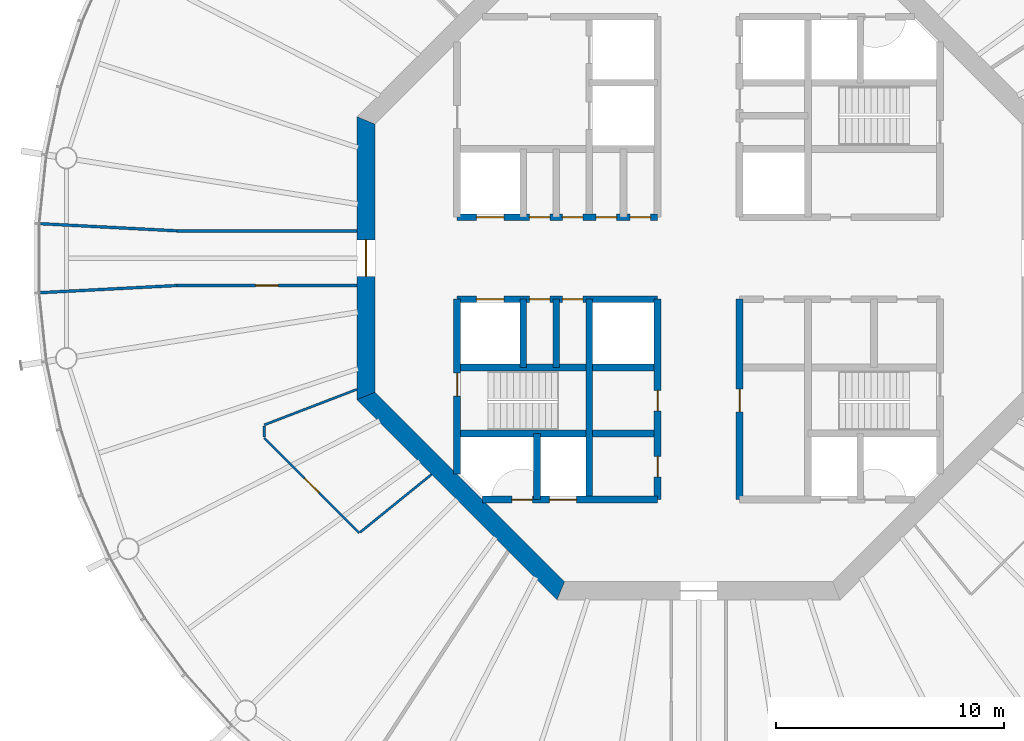
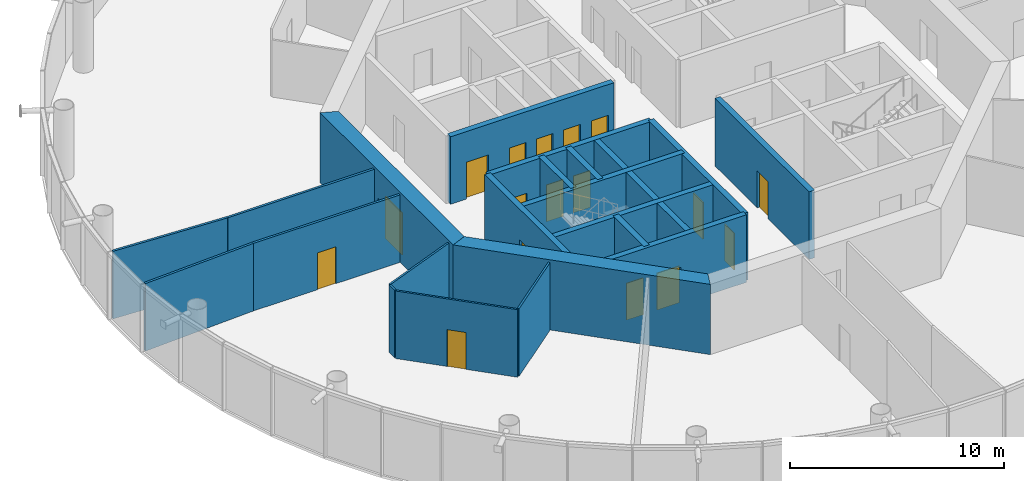
# One storey, part 3 of 17: 22 walls, 17 doors, 17 openings.
"""IFC4 building model written with IfcOpenShell, lengths in metres."""

from ifc_helpers import new_model, si_unit, direction, frame, frame_2d, origin, place, context, subcontext, project, spatial, polyline, rectangle, outline, extrude, material, layer, layer_set, type_object, element, fill, save


model = new_model("IFC4")

# Units and contexts
model_context = context("Model", 3, precision=1e-05, world=origin(), true_north=direction((0.0, 1.0)))
body_context = subcontext(model_context, "Body", "Model", "MODEL_VIEW")
ifc_project = project(units=[si_unit("LENGTHUNIT", "METRE"), si_unit("AREAUNIT", "SQUARE_METRE"), si_unit("VOLUMEUNIT", "CUBIC_METRE"), si_unit("PLANEANGLEUNIT", "RADIAN"), si_unit("MASSUNIT", "GRAM", prefix="KILO")], contexts=[model_context])

# Site, building, storey
site_placement = place(None, origin())
site = spatial("IfcSite", under=ifc_project, at=site_placement, CompositionType="ELEMENT")
building_placement = place(site_placement, origin())
building = spatial("IfcBuilding", under=site, at=building_placement, Name="Entoto Ring Tower", CompositionType="ELEMENT")
storey_placement = place(building_placement, frame((0.0, 0.0, 306.0)))
storey = spatial("IfcBuildingStorey", under=building, at=storey_placement, Name="L70", CompositionType="ELEMENT", Elevation=306.0)

# Wall, opening, door
ifc_material_1 = material(Name="Concrete C40/50", Category="concrete")
ifc_layer_1 = layer(ifc_material_1, 0.300048828125)
ifc_layer_set_1 = layer_set([ifc_layer_1], Name="Concrete C40/50")
wall_type_1 = type_object("IfcWallType", Name="Core enclosure wall 300 mm reinforced concrete", PredefinedType="SOLIDWALL", material=ifc_layer_set_1)
wall_1_placement = place(storey_placement, frame((91.800048828125, 69.39990234375, 0.0), z_axis=(0.0, 0.0, 1.0), x_axis=(0.0, 1.0, 0.0)))
wall_1 = element("IfcWall", 1, at=wall_1_placement, inside=storey, type_object=wall_type_1, Name="wall-L70-008", PredefinedType="SOLIDWALL", context=body_context, shape_type="SweptSolid", body=[
    extrude(rectangle(XDim=8.800048828125, YDim=0.300048828125, at=frame_2d((4.39990234375, 0.0))), origin(), (0.0, 0.0, 1.0), 3.85009765625),
])
opening_1_placement = place(wall_1_placement, frame((3.85009765625, 0.0, 0.0)))
opening_1 = element("IfcOpeningElement", 2, at=opening_1_placement, cuts=wall_1, Name="Opening K-64", PredefinedType="OPENING", context=body_context, shape_type="SweptSolid", body=[
    extrude(rectangle(XDim=1.0, YDim=2.10009765625, at=frame_2d((0.5, 1.050048828125))), frame((0.0, 0.16015625, 0.0), z_axis=(0.0, -1.0, 0.0), x_axis=(1.0, 0.0, 0.0)), (0.0, 0.0, 1.0), 0.320068359375),
])
ifc_material_2 = material(Name="Steel door leaf, fire rated", Category="steel")
ifc_layer_2 = layer(ifc_material_2, 0.050048828125)
ifc_layer_set_2 = layer_set([ifc_layer_2], Name="Steel door leaf, fire rated")
door_type_1 = type_object("IfcDoorType", Name="Accessible door 1000 x 2100 single leaf", OperationType="NOTDEFINED", PredefinedType="DOOR", material=ifc_layer_set_2)
door_1_placement = place(opening_1_placement, frame((1.0, 0.0, 0.0), z_axis=(0.0, 0.0, 1.0), x_axis=(-1.0, 0.0, 0.0)))
door_1 = element("IfcDoor", 3, at=door_1_placement, inside=storey, type_object=door_type_1, Name="Door K-64", OperationType="SINGLE_SWING_LEFT", OverallHeight=2.10009765625, OverallWidth=1.0, PredefinedType="DOOR", context=body_context, shape_type="SweptSolid", body=[
    extrude(rectangle(XDim=1.0, YDim=2.10009765625, at=frame_2d((0.5, 1.050048828125))), frame((0.0, 0.02490234375, 0.0), z_axis=(0.0, -1.0, 0.0), x_axis=(1.0, 0.0, 0.0)), (0.0, 0.0, 1.0), 0.050048828125),
])
fill(opening_1, door_1)

# Wall, openings, doors
wall_2_placement = place(storey_placement, frame((88.199951171875, 69.39990234375, 0.0), z_axis=(0.0, 0.0, 1.0), x_axis=(0.0, 1.0, 0.0)))
wall_2 = element("IfcWall", 4, at=wall_2_placement, inside=storey, type_object=wall_type_1, Name="wall-L70-010", PredefinedType="SOLIDWALL", context=body_context, shape_type="SweptSolid", body=[
    extrude(rectangle(XDim=8.800048828125, YDim=0.300048828125, at=frame_2d((4.39990234375, 0.0))), origin(), (0.0, 0.0, 1.0), 3.85009765625),
])
opening_2_placement = place(wall_2_placement, frame((3.89990234375, 0.0, 0.0)))
opening_2 = element("IfcOpeningElement", 5, at=opening_2_placement, cuts=wall_2, Name="Opening K-21", PredefinedType="OPENING", context=body_context, shape_type="SweptSolid", body=[
    extrude(rectangle(XDim=0.89990234375, YDim=2.10009765625, at=frame_2d((0.449951171875, 1.050048828125))), frame((0.0, 0.16015625, 0.0), z_axis=(0.0, -1.0, 0.0), x_axis=(1.0, 0.0, 0.0)), (0.0, 0.0, 1.0), 0.320068359375),
])
opening_3_placement = place(wall_2_placement, frame((1.0, 0.0, 0.0)))
opening_3 = element("IfcOpeningElement", 6, at=opening_3_placement, cuts=wall_2, Name="Opening K-69", PredefinedType="OPENING", context=body_context, shape_type="SweptSolid", body=[
    extrude(rectangle(XDim=0.89990234375, YDim=2.10009765625, at=frame_2d((0.449951171875, 1.050048828125))), frame((0.0, 0.16015625, 0.0), z_axis=(0.0, -1.0, 0.0), x_axis=(1.0, 0.0, 0.0)), (0.0, 0.0, 1.0), 0.320068359375),
])
ifc_material_3 = material(Name="Steel door leaf, fire rated", Category="steel")
ifc_layer_3 = layer(ifc_material_3, 0.050048828125)
ifc_layer_set_3 = layer_set([ifc_layer_3], Name="Steel door leaf, fire rated")
door_type_2 = type_object("IfcDoorType", Name="Core door 900 x 2100 single leaf", OperationType="NOTDEFINED", PredefinedType="DOOR", material=ifc_layer_set_3)
door_2_placement = place(opening_2_placement, origin())
door_2 = element("IfcDoor", 7, at=door_2_placement, inside=storey, type_object=door_type_2, Name="Door K-21", OperationType="SINGLE_SWING_RIGHT", OverallHeight=2.10009765625, OverallWidth=0.89990234375, PredefinedType="DOOR", context=body_context, shape_type="SweptSolid", body=[
    extrude(rectangle(XDim=0.89990234375, YDim=2.10009765625, at=frame_2d((0.449951171875, 1.050048828125))), frame((0.0, 0.02490234375, 0.0), z_axis=(0.0, -1.0, 0.0), x_axis=(1.0, 0.0, 0.0)), (0.0, 0.0, 1.0), 0.050048828125),
])
fill(opening_2, door_2)
door_3_placement = place(opening_3_placement, origin())
door_3 = element("IfcDoor", 8, at=door_3_placement, inside=storey, type_object=door_type_2, Name="Door K-69", OperationType="SINGLE_SWING_RIGHT", OverallHeight=2.10009765625, OverallWidth=0.89990234375, PredefinedType="DOOR", context=body_context, shape_type="SweptSolid", body=[
    extrude(rectangle(XDim=0.89990234375, YDim=2.10009765625, at=frame_2d((0.449951171875, 1.050048828125))), frame((0.0, 0.02490234375, 0.0), z_axis=(0.0, -1.0, 0.0), x_axis=(1.0, 0.0, 0.0)), (0.0, 0.0, 1.0), 0.050048828125),
])
fill(opening_3, door_3)

# Walls
wall_3_placement = place(storey_placement, frame((85.199951171875, 69.39990234375, 0.0), z_axis=(0.0, 0.0, 1.0), x_axis=(0.0, 1.0, 0.0)))
element("IfcWall", 9, at=wall_3_placement, inside=storey, type_object=wall_type_1, Name="wall-L70-013", PredefinedType="SOLIDWALL", context=body_context, shape_type="SweptSolid", body=[
    extrude(rectangle(XDim=8.800048828125, YDim=0.300048828125, at=frame_2d((4.39990234375, 0.0))), origin(), (0.0, 0.0, 1.0), 3.85009765625),
])
wall_4_placement = place(storey_placement, frame((83.75, 75.199951171875, 0.0), z_axis=(0.0, 0.0, 1.0), x_axis=(0.0, 1.0, 0.0)))
element("IfcWall", 10, at=wall_4_placement, inside=storey, type_object=wall_type_1, Name="wall-L70-015", PredefinedType="SOLIDWALL", context=body_context, shape_type="SweptSolid", body=[
    extrude(rectangle(XDim=3.0, YDim=0.300048828125, at=frame_2d((1.5, 0.0))), origin(), (0.0, 0.0, 1.0), 3.85009765625),
])
wall_5_placement = place(storey_placement, frame((82.89990234375, 69.39990234375, 0.0), z_axis=(0.0, 0.0, 1.0), x_axis=(0.0, 1.0, 0.0)))
element("IfcWall", 11, at=wall_5_placement, inside=storey, type_object=wall_type_1, Name="wall-L70-017", PredefinedType="SOLIDWALL", context=body_context, shape_type="SweptSolid", body=[
    extrude(rectangle(XDim=2.900146484375, YDim=0.300048828125, at=frame_2d((1.4501953125, 0.0))), origin(), (0.0, 0.0, 1.0), 3.85009765625),
])
wall_6_placement = place(storey_placement, frame((82.300048828125, 75.199951171875, 0.0), z_axis=(0.0, 0.0, 1.0), x_axis=(0.0, 1.0, 0.0)))
element("IfcWall", 12, at=wall_6_placement, inside=storey, type_object=wall_type_1, Name="wall-L70-018", PredefinedType="SOLIDWALL", context=body_context, shape_type="SweptSolid", body=[
    extrude(rectangle(XDim=3.0, YDim=0.300048828125, at=frame_2d((1.5, 0.0))), origin(), (0.0, 0.0, 1.0), 3.85009765625),
])

# Wall, opening, door
wall_7_placement = place(storey_placement, frame((79.39990234375, 70.518310546875, 0.0), z_axis=(0.0, 0.0, 1.0), x_axis=(0.0, 1.0, 0.0)))
wall_7 = element("IfcWall", 13, at=wall_7_placement, inside=storey, type_object=wall_type_1, Name="wall-L70-020", PredefinedType="SOLIDWALL", context=body_context, shape_type="SweptSolid", body=[
    extrude(rectangle(XDim=7.681640625, YDim=0.300048828125, at=frame_2d((3.8408203125, 0.0))), origin(), (0.0, 0.0, 1.0), 3.85009765625),
])
opening_4_placement = place(wall_7_placement, frame((3.431884765625, 0.0, 0.0)))
opening_4 = element("IfcOpeningElement", 14, at=opening_4_placement, cuts=wall_7, Name="Opening K-27", PredefinedType="OPENING", context=body_context, shape_type="SweptSolid", body=[
    extrude(rectangle(XDim=1.0, YDim=2.10009765625, at=frame_2d((0.5, 1.050048828125))), frame((0.0, 0.16015625, 0.0), z_axis=(0.0, -1.0, 0.0), x_axis=(1.0, 0.0, 0.0)), (0.0, 0.0, 1.0), 0.320068359375),
])
ifc_material_4 = material(Name="Steel door leaf, fire rated", Category="steel")
ifc_layer_4 = layer(ifc_material_4, 0.050048828125)
ifc_layer_set_4 = layer_set([ifc_layer_4], Name="Steel door leaf, fire rated")
door_type_3 = type_object("IfcDoorType", Name="Fire door FD60 1000 x 2100 single leaf", OperationType="NOTDEFINED", PredefinedType="DOOR", material=ifc_layer_set_4)
door_4_placement = place(opening_4_placement, frame((1.0, 0.0, 0.0), z_axis=(0.0, 0.0, 1.0), x_axis=(-1.0, 0.0, 0.0)))
door_4 = element("IfcDoor", 15, at=door_4_placement, inside=storey, type_object=door_type_3, Name="Door K-27", OperationType="SINGLE_SWING_LEFT", OverallHeight=2.10009765625, OverallWidth=1.0, PredefinedType="DOOR", context=body_context, shape_type="SweptSolid", body=[
    extrude(rectangle(XDim=1.0, YDim=2.10009765625, at=frame_2d((0.5, 1.050048828125))), frame((0.0, 0.02490234375, 0.0), z_axis=(0.0, -1.0, 0.0), x_axis=(1.0, 0.0, 0.0)), (0.0, 0.0, 1.0), 0.050048828125),
])
fill(opening_4, door_4)

# Wall, openings, doors
wall_8_placement = place(storey_placement, frame((80.518310546875, 69.39990234375, 0.0), z_axis=(0.0, 0.0, 1.0), x_axis=(1.0, 0.0, 0.0)))
wall_8 = element("IfcWall", 16, at=wall_8_placement, inside=storey, type_object=wall_type_1, Name="wall-L70-022", PredefinedType="SOLIDWALL", context=body_context, shape_type="SweptSolid", body=[
    extrude(rectangle(XDim=7.681640625, YDim=0.300048828125, at=frame_2d((3.8408203125, 0.0))), origin(), (0.0, 0.0, 1.0), 3.85009765625),
])
opening_5_placement = place(wall_8_placement, frame((2.931884765625, 0.0, 0.0)))
opening_5 = element("IfcOpeningElement", 17, at=opening_5_placement, cuts=wall_8, Name="Opening LD", PredefinedType="OPENING", context=body_context, shape_type="SweptSolid", body=[
    extrude(rectangle(XDim=1.199951171875, YDim=2.10009765625, at=frame_2d((0.60009765625, 1.050048828125))), frame((0.0, 0.16015625, 0.0), z_axis=(0.0, -1.0, 0.0), x_axis=(1.0, 0.0, 0.0)), (0.0, 0.0, 1.0), 0.320068359375),
])
opening_6_placement = place(wall_8_placement, frame((1.28173828125, 0.0, 0.0)))
opening_6 = element("IfcOpeningElement", 18, at=opening_6_placement, cuts=wall_8, Name="Opening K-84", PredefinedType="OPENING", context=body_context, shape_type="SweptSolid", body=[
    extrude(rectangle(XDim=0.89990234375, YDim=2.10009765625, at=frame_2d((0.449951171875, 1.050048828125))), frame((0.0, 0.16015625, 0.0), z_axis=(0.0, -1.0, 0.0), x_axis=(1.0, 0.0, 0.0)), (0.0, 0.0, 1.0), 0.320068359375),
])
ifc_material_5 = material(Name="Steel and glass door leaf", Category="steel")
ifc_layer_5 = layer(ifc_material_5, 0.050048828125)
ifc_layer_set_5 = layer_set([ifc_layer_5], Name="Steel and glass door leaf")
door_type_4 = type_object("IfcDoorType", Name="Landing door 1200 x 2100 sliding", OperationType="DOUBLE_DOOR_SLIDING", PredefinedType="DOOR", material=ifc_layer_set_5)
door_5_placement = place(opening_5_placement, origin())
door_5 = element("IfcDoor", 19, at=door_5_placement, inside=storey, type_object=door_type_4, Name="Landing door LB3-HR", OperationType="SLIDING_TO_RIGHT", OverallHeight=2.10009765625, OverallWidth=1.199951171875, PredefinedType="DOOR", context=body_context, shape_type="SweptSolid", body=[
    extrude(rectangle(XDim=1.199951171875, YDim=2.10009765625, at=frame_2d((0.60009765625, 1.050048828125))), frame((0.0, 0.02490234375, 0.0), z_axis=(0.0, -1.0, 0.0), x_axis=(1.0, 0.0, 0.0)), (0.0, 0.0, 1.0), 0.050048828125),
])
fill(opening_5, door_5)
ifc_material_6 = material(Name="Steel door leaf, fire rated", Category="steel")
ifc_layer_6 = layer(ifc_material_6, 0.050048828125)
ifc_layer_set_6 = layer_set([ifc_layer_6], Name="Steel door leaf, fire rated")
door_type_5 = type_object("IfcDoorType", Name="Riser door FD60 900 x 2100 single leaf", OperationType="NOTDEFINED", PredefinedType="DOOR", material=ifc_layer_set_6)
door_6_placement = place(opening_6_placement, origin())
door_6 = element("IfcDoor", 20, at=door_6_placement, inside=storey, type_object=door_type_5, Name="Door K-84", OperationType="SINGLE_SWING_RIGHT", OverallHeight=2.10009765625, OverallWidth=0.89990234375, PredefinedType="DOOR", context=body_context, shape_type="SweptSolid", body=[
    extrude(rectangle(XDim=0.89990234375, YDim=2.10009765625, at=frame_2d((0.449951171875, 1.050048828125))), frame((0.0, 0.02490234375, 0.0), z_axis=(0.0, -1.0, 0.0), x_axis=(1.0, 0.0, 0.0)), (0.0, 0.0, 1.0), 0.050048828125),
])
fill(opening_6, door_6)

# Walls
for number, where, z_axis, x_axis, name in (
    (21, (79.39990234375, 72.300048828125, 0.0), (0.0, 0.0, 1.0), (1.0, 0.0, 0.0), "wall-L70-024"),
    (22, (79.39990234375, 75.199951171875, 0.0), (0.0, 0.0, 1.0), (1.0, 0.0, 0.0), "wall-L70-026"),
):
    element("IfcWall", number, at=place(storey_placement, frame(where, z_axis=z_axis, x_axis=x_axis)), inside=storey, type_object=wall_type_1, Name=name, PredefinedType="SOLIDWALL", context=body_context, shape_type="SweptSolid", body=[
        extrude(rectangle(XDim=8.800048828125, YDim=0.300048828125, at=frame_2d((4.39990234375, 0.0))), origin(), (0.0, 0.0, 1.0), 3.85009765625),
    ])

# Wall, openings, doors
wall_9_placement = place(storey_placement, frame((79.39990234375, 78.199951171875, 0.0), z_axis=(0.0, 0.0, 1.0), x_axis=(1.0, 0.0, 0.0)))
wall_9 = element("IfcWall", 23, at=wall_9_placement, inside=storey, type_object=wall_type_1, Name="wall-L70-028", PredefinedType="SOLIDWALL", context=body_context, shape_type="SweptSolid", body=[
    extrude(rectangle(XDim=8.800048828125, YDim=0.300048828125, at=frame_2d((4.39990234375, 0.0))), origin(), (0.0, 0.0, 1.0), 3.85009765625),
])
opening_7_placement = place(wall_9_placement, frame((0.85009765625, 0.0, 0.0)))
opening_7 = element("IfcOpeningElement", 24, at=opening_7_placement, cuts=wall_9, Name="Opening LD", PredefinedType="OPENING", context=body_context, shape_type="SweptSolid", body=[
    extrude(rectangle(XDim=1.199951171875, YDim=2.10009765625, at=frame_2d((0.60009765625, 1.050048828125))), frame((0.0, 0.16015625, 0.0), z_axis=(0.0, -1.0, 0.0), x_axis=(1.0, 0.0, 0.0)), (0.0, 0.0, 1.0), 0.320068359375),
])
opening_8_placement = place(wall_9_placement, frame((3.175048828125, 0.0, 0.0)))
opening_8 = element("IfcOpeningElement", 25, at=opening_8_placement, cuts=wall_9, Name="Opening K-16", PredefinedType="OPENING", context=body_context, shape_type="SweptSolid", body=[
    extrude(rectangle(XDim=0.89990234375, YDim=2.10009765625, at=frame_2d((0.449951171875, 1.050048828125))), frame((0.0, 0.16015625, 0.0), z_axis=(0.0, -1.0, 0.0), x_axis=(1.0, 0.0, 0.0)), (0.0, 0.0, 1.0), 0.320068359375),
])
opening_9_placement = place(wall_9_placement, frame((4.625, 0.0, 0.0)))
opening_9 = element("IfcOpeningElement", 26, at=opening_9_placement, cuts=wall_9, Name="Opening K-57", PredefinedType="OPENING", context=body_context, shape_type="SweptSolid", body=[
    extrude(rectangle(XDim=0.89990234375, YDim=2.10009765625, at=frame_2d((0.449951171875, 1.050048828125))), frame((0.0, 0.16015625, 0.0), z_axis=(0.0, -1.0, 0.0), x_axis=(1.0, 0.0, 0.0)), (0.0, 0.0, 1.0), 0.320068359375),
])
door_7_placement = place(opening_8_placement, frame((0.89990234375, 0.0, 0.0), z_axis=(0.0, 0.0, 1.0), x_axis=(-1.0, 0.0, 0.0)))
door_7 = element("IfcDoor", 27, at=door_7_placement, inside=storey, type_object=door_type_2, Name="Door K-16", OperationType="SINGLE_SWING_LEFT", OverallHeight=2.10009765625, OverallWidth=0.89990234375, PredefinedType="DOOR", context=body_context, shape_type="SweptSolid", body=[
    extrude(rectangle(XDim=0.89990234375, YDim=2.10009765625, at=frame_2d((0.449951171875, 1.050048828125))), frame((0.0, 0.02490234375, 0.0), z_axis=(0.0, -1.0, 0.0), x_axis=(1.0, 0.0, 0.0)), (0.0, 0.0, 1.0), 0.050048828125),
])
fill(opening_8, door_7)
door_8_placement = place(opening_9_placement, frame((0.89990234375, 0.0, 0.0), z_axis=(0.0, 0.0, 1.0), x_axis=(-1.0, 0.0, 0.0)))
door_8 = element("IfcDoor", 28, at=door_8_placement, inside=storey, type_object=door_type_2, Name="Door K-57", OperationType="SINGLE_SWING_LEFT", OverallHeight=2.10009765625, OverallWidth=0.89990234375, PredefinedType="DOOR", context=body_context, shape_type="SweptSolid", body=[
    extrude(rectangle(XDim=0.89990234375, YDim=2.10009765625, at=frame_2d((0.449951171875, 1.050048828125))), frame((0.0, 0.02490234375, 0.0), z_axis=(0.0, -1.0, 0.0), x_axis=(1.0, 0.0, 0.0)), (0.0, 0.0, 1.0), 0.050048828125),
])
fill(opening_9, door_8)
door_9_placement = place(opening_7_placement, origin())
door_9 = element("IfcDoor", 29, at=door_9_placement, inside=storey, type_object=door_type_4, Name="Landing door SH2", OperationType="SLIDING_TO_RIGHT", OverallHeight=2.10009765625, OverallWidth=1.199951171875, PredefinedType="DOOR", context=body_context, shape_type="SweptSolid", body=[
    extrude(rectangle(XDim=1.199951171875, YDim=2.10009765625, at=frame_2d((0.60009765625, 1.050048828125))), frame((0.0, 0.02490234375, 0.0), z_axis=(0.0, -1.0, 0.0), x_axis=(1.0, 0.0, 0.0)), (0.0, 0.0, 1.0), 0.050048828125),
])
fill(opening_7, door_9)

wall_10_placement = place(storey_placement, frame((79.39990234375, 81.800048828125, 0.0), z_axis=(0.0, 0.0, 1.0), x_axis=(1.0, 0.0, 0.0)))
wall_10 = element("IfcWall", 30, at=wall_10_placement, inside=storey, type_object=wall_type_1, Name="wall-L70-030", PredefinedType="SOLIDWALL", context=body_context, shape_type="SweptSolid", body=[
    extrude(rectangle(XDim=8.800048828125, YDim=0.300048828125, at=frame_2d((4.39990234375, 0.0))), origin(), (0.0, 0.0, 1.0), 3.85009765625),
])
opening_10_placement = place(wall_10_placement, frame((0.85009765625, 0.0, 0.0)))
opening_10 = element("IfcOpeningElement", 31, at=opening_10_placement, cuts=wall_10, Name="Opening LD", PredefinedType="OPENING", context=body_context, shape_type="SweptSolid", body=[
    extrude(rectangle(XDim=1.199951171875, YDim=2.10009765625, at=frame_2d((0.60009765625, 1.050048828125))), frame((0.0, 0.16015625, 0.0), z_axis=(0.0, -1.0, 0.0), x_axis=(1.0, 0.0, 0.0)), (0.0, 0.0, 1.0), 0.320068359375),
])
opening_11_placement = place(wall_10_placement, frame((3.175048828125, 0.0, 0.0)))
opening_11 = element("IfcOpeningElement", 32, at=opening_11_placement, cuts=wall_10, Name="Opening K-12", PredefinedType="OPENING", context=body_context, shape_type="SweptSolid", body=[
    extrude(rectangle(XDim=0.89990234375, YDim=2.10009765625, at=frame_2d((0.449951171875, 1.050048828125))), frame((0.0, 0.16015625, 0.0), z_axis=(0.0, -1.0, 0.0), x_axis=(1.0, 0.0, 0.0)), (0.0, 0.0, 1.0), 0.320068359375),
])
opening_12_placement = place(wall_10_placement, frame((4.625, 0.0, 0.0)))
opening_12 = element("IfcOpeningElement", 33, at=opening_12_placement, cuts=wall_10, Name="Opening K-46", PredefinedType="OPENING", context=body_context, shape_type="SweptSolid", body=[
    extrude(rectangle(XDim=0.89990234375, YDim=2.10009765625, at=frame_2d((0.449951171875, 1.050048828125))), frame((0.0, 0.16015625, 0.0), z_axis=(0.0, -1.0, 0.0), x_axis=(1.0, 0.0, 0.0)), (0.0, 0.0, 1.0), 0.320068359375),
])
opening_13_placement = place(wall_10_placement, frame((6.10009765625, 0.0, 0.0)))
opening_13 = element("IfcOpeningElement", 34, at=opening_13_placement, cuts=wall_10, Name="Opening K-71", PredefinedType="OPENING", context=body_context, shape_type="SweptSolid", body=[
    extrude(rectangle(XDim=0.89990234375, YDim=2.10009765625, at=frame_2d((0.449951171875, 1.050048828125))), frame((0.0, 0.16015625, 0.0), z_axis=(0.0, -1.0, 0.0), x_axis=(1.0, 0.0, 0.0)), (0.0, 0.0, 1.0), 0.320068359375),
])
opening_14_placement = place(wall_10_placement, frame((7.60009765625, 0.0, 0.0)))
opening_14 = element("IfcOpeningElement", 35, at=opening_14_placement, cuts=wall_10, Name="Opening K-24", PredefinedType="OPENING", context=body_context, shape_type="SweptSolid", body=[
    extrude(rectangle(XDim=0.89990234375, YDim=2.10009765625, at=frame_2d((0.449951171875, 1.050048828125))), frame((0.0, 0.16015625, 0.0), z_axis=(0.0, -1.0, 0.0), x_axis=(1.0, 0.0, 0.0)), (0.0, 0.0, 1.0), 0.320068359375),
])
door_10_placement = place(opening_11_placement, origin())
door_10 = element("IfcDoor", 36, at=door_10_placement, inside=storey, type_object=door_type_2, Name="Door K-12", OperationType="SINGLE_SWING_RIGHT", OverallHeight=2.10009765625, OverallWidth=0.89990234375, PredefinedType="DOOR", context=body_context, shape_type="SweptSolid", body=[
    extrude(rectangle(XDim=0.89990234375, YDim=2.10009765625, at=frame_2d((0.449951171875, 1.050048828125))), frame((0.0, 0.02490234375, 0.0), z_axis=(0.0, -1.0, 0.0), x_axis=(1.0, 0.0, 0.0)), (0.0, 0.0, 1.0), 0.050048828125),
])
fill(opening_11, door_10)
door_11_placement = place(opening_12_placement, origin())
door_11 = element("IfcDoor", 37, at=door_11_placement, inside=storey, type_object=door_type_2, Name="Door K-46", OperationType="SINGLE_SWING_RIGHT", OverallHeight=2.10009765625, OverallWidth=0.89990234375, PredefinedType="DOOR", context=body_context, shape_type="SweptSolid", body=[
    extrude(rectangle(XDim=0.89990234375, YDim=2.10009765625, at=frame_2d((0.449951171875, 1.050048828125))), frame((0.0, 0.02490234375, 0.0), z_axis=(0.0, -1.0, 0.0), x_axis=(1.0, 0.0, 0.0)), (0.0, 0.0, 1.0), 0.050048828125),
])
fill(opening_12, door_11)
door_12_placement = place(opening_13_placement, origin())
door_12 = element("IfcDoor", 38, at=door_12_placement, inside=storey, type_object=door_type_2, Name="Door K-71", OperationType="SINGLE_SWING_LEFT", OverallHeight=2.10009765625, OverallWidth=0.89990234375, PredefinedType="DOOR", context=body_context, shape_type="SweptSolid", body=[
    extrude(rectangle(XDim=0.89990234375, YDim=2.10009765625, at=frame_2d((0.449951171875, 1.050048828125))), frame((0.0, 0.02490234375, 0.0), z_axis=(0.0, -1.0, 0.0), x_axis=(1.0, 0.0, 0.0)), (0.0, 0.0, 1.0), 0.050048828125),
])
fill(opening_13, door_12)
door_13_placement = place(opening_14_placement, origin())
door_13 = element("IfcDoor", 39, at=door_13_placement, inside=storey, type_object=door_type_2, Name="Door K-24", OperationType="SINGLE_SWING_LEFT", OverallHeight=2.10009765625, OverallWidth=0.89990234375, PredefinedType="DOOR", context=body_context, shape_type="SweptSolid", body=[
    extrude(rectangle(XDim=0.89990234375, YDim=2.10009765625, at=frame_2d((0.449951171875, 1.050048828125))), frame((0.0, 0.02490234375, 0.0), z_axis=(0.0, -1.0, 0.0), x_axis=(1.0, 0.0, 0.0)), (0.0, 0.0, 1.0), 0.050048828125),
])
fill(opening_14, door_13)
door_14_placement = place(opening_10_placement, origin())
door_14 = element("IfcDoor", 40, at=door_14_placement, inside=storey, type_object=door_type_4, Name="Landing door SH1", OperationType="SLIDING_TO_RIGHT", OverallHeight=2.10009765625, OverallWidth=1.199951171875, PredefinedType="DOOR", context=body_context, shape_type="SweptSolid", body=[
    extrude(rectangle(XDim=1.199951171875, YDim=2.10009765625, at=frame_2d((0.60009765625, 1.050048828125))), frame((0.0, 0.02490234375, 0.0), z_axis=(0.0, -1.0, 0.0), x_axis=(1.0, 0.0, 0.0)), (0.0, 0.0, 1.0), 0.050048828125),
])
fill(opening_10, door_14)

# Wall, opening, door
ifc_material_7 = material(Name="Concrete C40/50", Category="concrete")
ifc_layer_7 = layer(ifc_material_7, 0.800048828125)
ifc_layer_set_7 = layer_set([ifc_layer_7], Name="Concrete C40/50")
wall_type_2 = type_object("IfcWallType", Name="Core shear wall 800 mm reinforced concrete C40/50", PredefinedType="SHEAR", material=ifc_layer_set_7)
wall_11_placement = place(storey_placement, frame((75.39990234375, 86.047607421875, 0.0), z_axis=(0.0, 0.0, 1.0), x_axis=(0.0, -1.0, 0.0)))
wall_11 = element("IfcWall", 41, at=wall_11_placement, inside=storey, type_object=wall_type_2, Name="wall-L70-core-4", PredefinedType="SHEAR", context=body_context, shape_type="SweptSolid", body=[
    extrude(outline(polyline([(-0.165771484375, -0.39990234375), (12.260986328125, -0.39990234375), (11.929443359375, 0.39990234375), (0.165771484375, 0.39990234375), (-0.165771484375, -0.39990234375)])), origin(), (0.0, 0.0, 1.0), 4.0),
])
opening_15_placement = place(wall_11_placement, frame((5.24755859375, 0.0, 0.0)))
opening_15 = element("IfcOpeningElement", 42, at=opening_15_placement, cuts=wall_11, Name="Opening K-03", PredefinedType="OPENING", context=body_context, shape_type="SweptSolid", body=[
    extrude(rectangle(XDim=1.60009765625, YDim=2.39990234375, at=frame_2d((0.800048828125, 1.199951171875))), frame((0.0, 0.41015625, 0.0), z_axis=(0.0, -1.0, 0.0), x_axis=(1.0, 0.0, 0.0)), (0.0, 0.0, 1.0), 0.820068359375),
])
ifc_material_8 = material(Name="Steel door leaf, fire rated", Category="steel")
ifc_layer_8 = layer(ifc_material_8, 0.050048828125)
ifc_layer_set_8 = layer_set([ifc_layer_8], Name="Steel door leaf, fire rated")
door_type_6 = type_object("IfcDoorType", Name="Entrance door FD60 1600 x 2400 double leaf", OperationType="DOUBLE_DOOR_SINGLE_SWING", PredefinedType="DOOR", material=ifc_layer_set_8)
door_15_placement = place(opening_15_placement, origin())
door_15 = element("IfcDoor", 43, at=door_15_placement, inside=storey, type_object=door_type_6, Name="Entrance door K-03", OperationType="DOUBLE_DOOR_SINGLE_SWING", OverallHeight=2.39990234375, OverallWidth=1.60009765625, PredefinedType="DOOR", context=body_context, shape_type="SweptSolid", body=[
    extrude(rectangle(XDim=1.60009765625, YDim=2.39990234375, at=frame_2d((0.800048828125, 1.199951171875))), frame((0.0, 0.02490234375, 0.0), z_axis=(0.0, -1.0, 0.0), x_axis=(1.0, 0.0, 0.0)), (0.0, 0.0, 1.0), 0.050048828125),
])
fill(opening_15, door_15)

# Wall
wall_12_placement = place(storey_placement, frame((75.39990234375, 73.952392578125, 0.0), z_axis=(0.0, 0.0, 1.0), x_axis=(0.707106781187, -0.707106781187, 0.0)))
element("IfcWall", 44, at=wall_12_placement, inside=storey, type_object=wall_type_2, Name="wall-L70-core-5", PredefinedType="SHEAR", context=body_context, shape_type="SweptSolid", body=[
    extrude(outline(polyline([(-0.165771484375, -0.39990234375), (12.2607421875, -0.39990234375), (11.92919921875, 0.39990234375), (0.165771484375, 0.39990234375), (-0.165771484375, -0.39990234375)])), origin(), (0.0, 0.0, 1.0), 4.0),
])

# Wall, opening, door
ifc_material_9 = material(Name="Fire-resisting plasterboard on steel studs", Category="steel")
ifc_layer_9 = layer(ifc_material_9, 0.125)
ifc_layer_set_9 = layer_set([ifc_layer_9], Name="Fire-resisting plasterboard on steel studs")
wall_type_3 = type_object("IfcWallType", Name="Corridor wall 125 mm one-hour plasterboard on steel studs", PredefinedType="PARTITIONING", material=ifc_layer_set_9)
wall_13_placement = place(storey_placement, frame((67.1025390625, 78.800048828125, 0.0), z_axis=(0.0, 0.0, 1.0), x_axis=(1.0, 0.0, 0.0)))
wall_13 = element("IfcWall", 45, at=wall_13_placement, inside=storey, type_object=wall_type_3, Name="partition-L70-001", PredefinedType="PARTITIONING", context=body_context, shape_type="SweptSolid", body=[
    extrude(rectangle(XDim=7.8974609375, YDim=0.125, at=frame_2d((3.94873046875, 0.0))), origin(), (0.0, 0.0, 1.0), 3.85009765625),
])
opening_16_placement = place(wall_13_placement, frame((3.44873046875, 0.0, 0.0)))
opening_16 = element("IfcOpeningElement", 46, at=opening_16_placement, cuts=wall_13, Name="Opening A30-D06", PredefinedType="OPENING", context=body_context, shape_type="SweptSolid", body=[
    extrude(rectangle(XDim=1.0, YDim=2.10009765625, at=frame_2d((0.5, 1.050048828125))), frame((0.0, 0.072509765625, 0.0), z_axis=(0.0, -1.0, 0.0), x_axis=(1.0, 0.0, 0.0)), (0.0, 0.0, 1.0), 0.14501953125),
])
ifc_material_10 = material(Name="Fire-resisting timber door set", Category="wood")
door_type_7 = type_object("IfcDoorType", Name="Door 1000 x 2100 single leaf FD30S fire door", OperationType="NOTDEFINED", PredefinedType="DOOR", material=ifc_material_10)
door_16_placement = place(opening_16_placement, frame((1.0, 0.0, 0.0), z_axis=(0.0, 0.0, 1.0), x_axis=(-1.0, 0.0, 0.0)))
door_16 = element("IfcDoor", 47, at=door_16_placement, inside=storey, type_object=door_type_7, Name="Door A30-D06", OperationType="SINGLE_SWING_LEFT", OverallHeight=2.10009765625, OverallWidth=1.0, PredefinedType="DOOR", context=body_context, shape_type="SweptSolid", body=[
    extrude(rectangle(XDim=1.0, YDim=2.10009765625, at=frame_2d((0.5, 1.050048828125))), frame((0.0, 0.02490234375, 0.0), z_axis=(0.0, -1.0, 0.0), x_axis=(1.0, 0.0, 0.0)), (0.0, 0.0, 1.0), 0.050048828125),
])
fill(opening_16, door_16)

# Walls
wall_14_placement = place(storey_placement, frame((67.1025390625, 81.199951171875, 0.0), z_axis=(0.0, 0.0, 1.0), x_axis=(1.0, 0.0, 0.0)))
element("IfcWall", 48, at=wall_14_placement, inside=storey, type_object=wall_type_3, Name="partition-L70-002", PredefinedType="PARTITIONING", context=body_context, shape_type="SweptSolid", body=[
    extrude(rectangle(XDim=7.8974609375, YDim=0.125, at=frame_2d((3.94873046875, 0.0))), origin(), (0.0, 0.0, 1.0), 3.85009765625),
])
for number, where, z_axis, x_axis, name in (
    (49, (61.099609375, 78.4853515625, 0.0), (0.0, 0.0, 1.0), (0.998629367342, 0.052339150565, 0.0), "partition-L70-009"),
    (50, (67.099365234375, 81.2001953125, 0.0), (0.0, 0.0, 1.0), (-0.998629367342, 0.052339150565, 0.0), "partition-L70-010"),
):
    element("IfcWall", number, at=place(storey_placement, frame(where, z_axis=z_axis, x_axis=x_axis)), inside=storey, type_object=wall_type_3, Name=name, PredefinedType="PARTITIONING", context=body_context, shape_type="SweptSolid", body=[
        extrude(rectangle(XDim=6.008056640625, YDim=0.125, at=frame_2d((3.00390625, 0.0))), origin(), (0.0, 0.0, 1.0), 3.85009765625),
    ])

# Wall, opening, door
ifc_material_11 = material(Name="Plasterboard on steel studs", Category="steel")
ifc_layer_10 = layer(ifc_material_11, 0.10009765625)
ifc_layer_set_10 = layer_set([ifc_layer_10], Name="Plasterboard on steel studs")
wall_type_4 = type_object("IfcWallType", Name="Partition 100 mm plasterboard on steel studs", PredefinedType="PARTITIONING", material=ifc_layer_set_10)
wall_15_placement = place(storey_placement, frame((75.10595703125, 67.939208984375, 0.0), z_axis=(0.0, 0.0, 1.0), x_axis=(-0.707127500746, 0.70708606102, 0.0)))
wall_15 = element("IfcWall", 51, at=wall_15_placement, inside=storey, type_object=wall_type_4, Name="partition-L70-021", PredefinedType="PARTITIONING", context=body_context, shape_type="SweptSolid", body=[
    extrude(rectangle(XDim=5.891357421875, YDim=0.10009765625, at=frame_2d((2.94580078125, 0.0))), origin(), (0.0, 0.0, 1.0), 3.85009765625),
])
opening_17_placement = place(wall_15_placement, frame((2.495849609375, 0.0, 0.0)))
opening_17 = element("IfcOpeningElement", 52, at=opening_17_placement, cuts=wall_15, Name="Opening A30-D07", PredefinedType="OPENING", context=body_context, shape_type="SweptSolid", body=[
    extrude(rectangle(XDim=0.89990234375, YDim=2.10009765625, at=frame_2d((0.449951171875, 1.050048828125))), frame((0.0, 0.06005859375, 0.0), z_axis=(0.0, -1.0, 0.0), x_axis=(1.0, 0.0, 0.0)), (0.0, 0.0, 1.0), 0.1201171875),
])
ifc_material_12 = material(Name="Veneered timber door leaf in timber frame", Category="wood")
door_type_8 = type_object("IfcDoorType", Name="Door 900 x 2100 single leaf timber veneer", OperationType="NOTDEFINED", PredefinedType="DOOR", material=ifc_material_12)
door_17_placement = place(opening_17_placement, frame((0.89990234375, 0.0, 0.0), z_axis=(0.0, 0.0, 1.0), x_axis=(-1.0, 0.0, 0.0)))
door_17 = element("IfcDoor", 53, at=door_17_placement, inside=storey, type_object=door_type_8, Name="Door A30-D07", OperationType="SINGLE_SWING_RIGHT", OverallHeight=2.10009765625, OverallWidth=0.89990234375, PredefinedType="DOOR", context=body_context, shape_type="SweptSolid", body=[
    extrude(rectangle(XDim=0.89990234375, YDim=2.10009765625, at=frame_2d((0.449951171875, 1.050048828125))), frame((0.0, 0.02490234375, 0.0), z_axis=(0.0, -1.0, 0.0), x_axis=(1.0, 0.0, 0.0)), (0.0, 0.0, 1.0), 0.050048828125),
])
fill(opening_17, door_17)

# Walls
wall_16_placement = place(storey_placement, frame((70.93994140625, 72.68359375, 0.0), z_axis=(0.0, 0.0, 1.0), x_axis=(0.933592801573, 0.358335709708, 0.0)))
element("IfcWall", 54, at=wall_16_placement, inside=storey, type_object=wall_type_4, Name="partition-L70-022", PredefinedType="PARTITIONING", context=body_context, shape_type="SweptSolid", body=[
    extrude(rectangle(XDim=4.348876953125, YDim=0.10009765625, at=frame_2d((2.17431640625, 0.0))), origin(), (0.0, 0.0, 1.0), 3.85009765625),
])
wall_17_placement = place(storey_placement, frame((75.14453125, 67.97021484375, 0.0), z_axis=(0.0, 0.0, 1.0), x_axis=(0.777122204941, 0.629349726772, 0.0)))
element("IfcWall", 55, at=wall_17_placement, inside=storey, type_object=wall_type_4, Name="partition-L70-025", PredefinedType="PARTITIONING", context=body_context, shape_type="SweptSolid", body=[
    extrude(rectangle(XDim=4.032958984375, YDim=0.10009765625, at=frame_2d((2.0166015625, 0.0))), origin(), (0.0, 0.0, 1.0), 3.85009765625),
])
wall_18_placement = place(storey_placement, frame((70.93994140625, 72.14013671875, 0.0), z_axis=(0.0, 0.0, 1.0), x_axis=(0.0, 1.0, 0.0)))
element("IfcWall", 56, at=wall_18_placement, inside=storey, type_object=wall_type_4, Name="partition-L70-031", PredefinedType="PARTITIONING", context=body_context, shape_type="SweptSolid", body=[
    extrude(rectangle(XDim=0.496826171875, YDim=0.10009765625, at=frame_2d((0.24853515625, 0.0))), origin(), (0.0, 0.0, 1.0), 3.85009765625),
])

save(model, "model.ifc")
